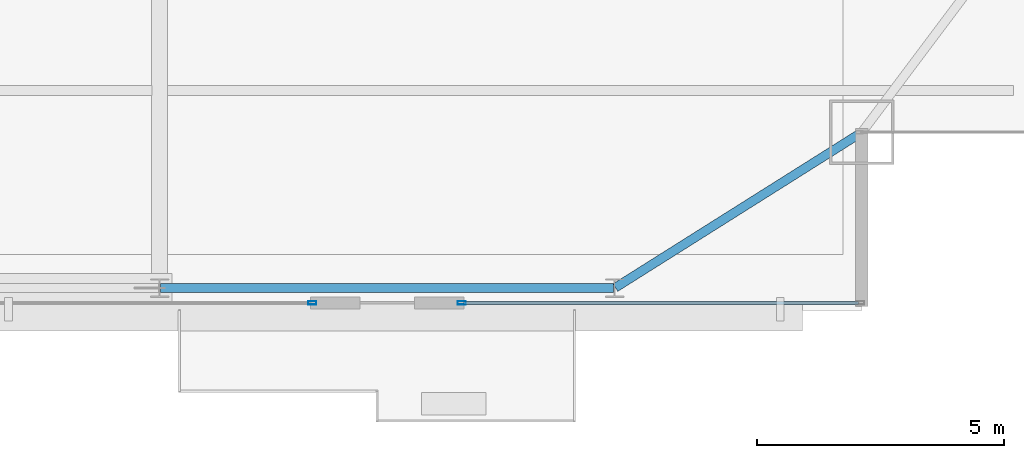
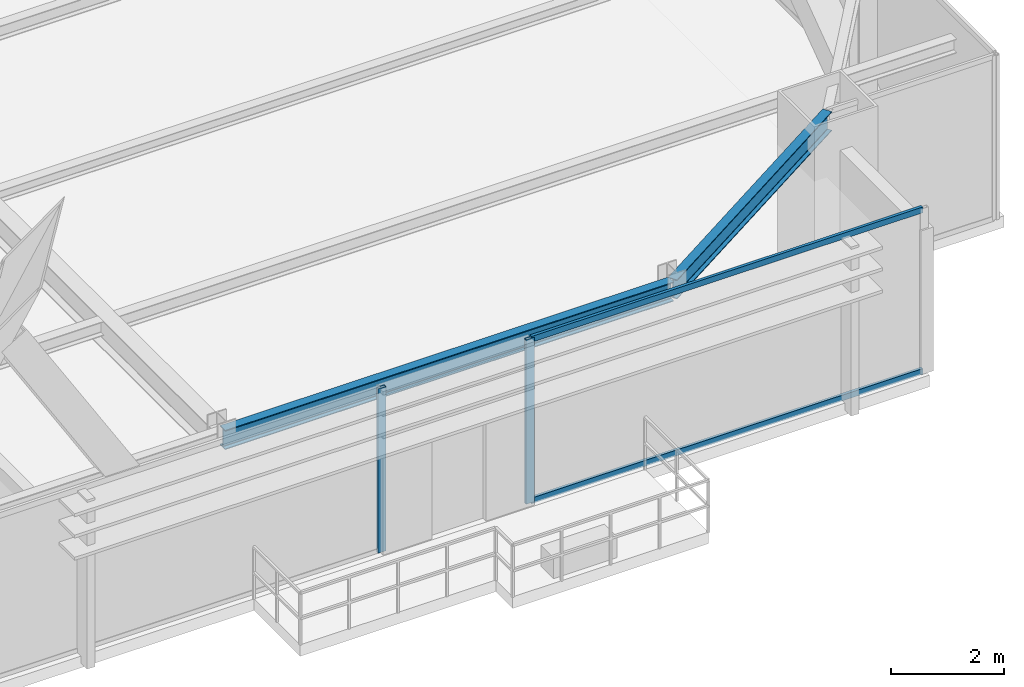
# One storey, part 14 of 34: 4 members, 2 beams, 2 elements without a shape of their own.
"""IFC4 building model written with IfcOpenShell, lengths in metres."""

from ifc_helpers import new_model, si_unit, direction, frame, origin, origin_2d, place, context, subcontext, project, spatial, hollow_rectangle, i_section, extrude, source, transform, mapped, material, layer, layer_set, material_profile, profile_set, type_object, type_shapes, element, aggregate, save


model = new_model("IFC4")

# Units and contexts
model_context = context("Model", 3, precision=1e-05, world=origin(), true_north=direction((0.0, 1.0)))
body_context = subcontext(model_context, "Body", "Model", "MODEL_VIEW")
ifc_project = project(units=[si_unit("LENGTHUNIT", "METRE"), si_unit("AREAUNIT", "SQUARE_METRE"), si_unit("VOLUMEUNIT", "CUBIC_METRE"), si_unit("PLANEANGLEUNIT", "RADIAN"), si_unit("MASSUNIT", "GRAM", prefix="KILO")], contexts=[model_context])

# Site, building, storey
site_placement = place(None, origin())
site = spatial("IfcSite", under=ifc_project, at=site_placement, CompositionType="ELEMENT")
building_placement = place(site_placement, origin())
building = spatial("IfcBuilding", under=site, at=building_placement, Name="Varnel Quay Broadcast Tower", CompositionType="ELEMENT")
storey_placement = place(building_placement, frame((0.0, 0.0, 161.0)))
storey = spatial("IfcBuildingStorey", under=building, at=storey_placement, Name="L39", CompositionType="ELEMENT", Elevation=161.0)

# Beams
ifc_material_1 = material(Name="Structural Steel CSA G40.21 350W", Category="steel")
ifc_material_profile_1 = material_profile(ifc_material_1, i_section(OverallWidth=0.180908203125, OverallDepth=0.4169921875, WebThickness=0.010986328125, FlangeThickness=0.018310546875, FilletRadius=0.011962890625, at=origin_2d()), Name="W410X85")
ifc_profile_set_1 = profile_set([ifc_material_profile_1], Name="Structural Steel CSA G40.21 350W")
beam_type = type_object("IfcBeamType", Name="Beam_W410X85", PredefinedType="SPANDREL", material=ifc_profile_set_1)
shared_shape_1 = source(origin(), body_context, "Body", "SweptSolid", [
    extrude(i_section(OverallWidth=0.180908203125, OverallDepth=0.4169921875, WebThickness=0.010986328125, FlangeThickness=0.018310546875, FilletRadius=0.011962890625, at=origin_2d()), origin(), (0.0, 0.0, 1.0), 9.159912109375),
])
beam_1_placement = place(storey_placement, frame((43.219970703125, 7.64990234375, 3.341552734375), z_axis=(1.0, 0.0, 0.0), x_axis=(0.0, 1.0, 0.0)))
element("IfcBeam", 1, at=beam_1_placement, inside=storey, type_object=beam_type, Name="L39 South Spandrel TC-S4-TC-S5", PredefinedType="SPANDREL", context=body_context, shape_type="MappedRepresentation", body=[
    mapped(shared_shape_1, transform((0.0, 0.0, 0.0), x_axis=(1.0, 0.0, 0.0), y_axis=(0.0, 1.0, 0.0), z_axis=(0.0, 0.0, 1.0), scale=1.0)),
])
shared_shape_2 = source(origin(), body_context, "Body", "SweptSolid", [
    extrude(i_section(OverallWidth=0.180908203125, OverallDepth=0.4169921875, WebThickness=0.010986328125, FlangeThickness=0.018310546875, FilletRadius=0.011962890625, at=origin_2d()), origin(), (0.0, 0.0, 1.0), 5.869384765625),
])
type_shapes(beam_type, [shared_shape_1, shared_shape_2])
beam_2_placement = place(storey_placement, frame((52.4169921875, 7.66064453125, 3.341552734375), z_axis=(0.846088328928, 0.533042718412, 0.0), x_axis=(-0.533042718412, 0.846088328928, 0.0)))
element("IfcBeam", 2, at=beam_2_placement, inside=storey, type_object=beam_type, Name="L39 South Spandrel TC-S5-MC-SE", PredefinedType="SPANDREL", context=body_context, shape_type="MappedRepresentation", body=[
    mapped(shared_shape_2, transform((0.0, 0.0, 0.0), x_axis=(1.0, 0.0, 0.0), y_axis=(0.0, 1.0, 0.0), z_axis=(0.0, 0.0, 1.0), scale=1.0)),
])

# Curtain wall, member
ifc_material_2 = material(Name="Anodised Bronze Aluminium 6063-T6", Category="aluminium")
ifc_layer = layer(ifc_material_2, 0.18994140625, Name="Anodised Bronze Aluminium 6063-T6")
ifc_layer_set = layer_set([ifc_layer], Name="Anodised Bronze Aluminium 6063-T6")
curtain_wall_type = type_object("IfcCurtainWallType", Name="CW_UpperTower", PredefinedType="NOTDEFINED", material=ifc_layer_set)
curtain_wall_1_placement = place(storey_placement, origin())
curtain_wall_1 = element("IfcCurtainWall", 3, at=curtain_wall_1_placement, inside=storey, type_object=curtain_wall_type, Name="L39 South Unitised Curtain Wall 2", PredefinedType="NOTDEFINED")
ifc_material_profile_2 = material_profile(ifc_material_2, hollow_rectangle(XDim=0.06494140625, YDim=0.1650390625, WallThickness=0.00341796875, at=origin_2d()), Name="ALU65X165X3.5")
ifc_profile_set_2 = profile_set([ifc_material_profile_2], Name="Anodised Bronze Aluminium 6063-T6")
member_type_1 = type_object("IfcMemberType", Name="Mull_CWS-03", PredefinedType="MULLION", material=ifc_profile_set_2)
shared_shape_3 = source(origin(), body_context, "Body", "SweptSolid", [
    extrude(hollow_rectangle(XDim=0.06494140625, YDim=0.1650390625, WallThickness=0.00341796875, at=origin_2d()), origin(), (0.0, 0.0, 1.0), 3.550048828125),
])
type_shapes(member_type_1, [shared_shape_3])
member_1_placement = place(storey_placement, frame((46.28759765625, 7.35009765625, 0.0), z_axis=(0.0, 0.0, 1.0), x_axis=(0.0, 1.0, 0.0)))
member_1 = element("IfcMember", 4, at=member_1_placement, type_object=member_type_1, Name="CWS-03 mullion 3", PredefinedType="MULLION", context=body_context, shape_type="MappedRepresentation", body=[
    mapped(shared_shape_3, transform((0.0, 0.0, 0.0), x_axis=(1.0, 0.0, 0.0), y_axis=(0.0, 1.0, 0.0), z_axis=(0.0, 0.0, 1.0), scale=1.0)),
])
aggregate(curtain_wall_1, [member_1])

# Curtain wall, members
curtain_wall_2_placement = place(storey_placement, origin())
curtain_wall_2 = element("IfcCurtainWall", 5, at=curtain_wall_2_placement, inside=storey, type_object=curtain_wall_type, Name="L39 South Unitised Curtain Wall 3", PredefinedType="NOTDEFINED")
member_2_placement = place(storey_placement, frame((49.3125, 7.35009765625, 0.0), z_axis=(0.0, 0.0, 1.0), x_axis=(0.0, 1.0, 0.0)))
member_2 = element("IfcMember", 6, at=member_2_placement, type_object=member_type_1, Name="CWS-03 mullion 1", PredefinedType="MULLION", context=body_context, shape_type="MappedRepresentation", body=[
    mapped(shared_shape_3, transform((0.0, 0.0, 0.0), x_axis=(1.0, 0.0, 0.0), y_axis=(0.0, 1.0, 0.0), z_axis=(0.0, 0.0, 1.0), scale=1.0)),
])
ifc_material_profile_3 = material_profile(ifc_material_2, hollow_rectangle(XDim=0.06005859375, YDim=0.125, WallThickness=0.0029296875, at=origin_2d()), Name="ALU60X125X3")
ifc_profile_set_3 = profile_set([ifc_material_profile_3], Name="Anodised Bronze Aluminium 6063-T6")
member_type_2 = type_object("IfcMemberType", Name="Tran_CWS-03", PredefinedType="USERDEFINED", material=ifc_profile_set_3)
shared_shape_4 = source(origin(), body_context, "Body", "SweptSolid", [
    extrude(hollow_rectangle(XDim=0.06005859375, YDim=0.125, WallThickness=0.0029296875, at=origin_2d()), origin(), (0.0, 0.0, 1.0), 7.989990234375),
])
type_shapes(member_type_2, [shared_shape_4])
member_3_placement = place(storey_placement, frame((49.344970703125, 7.35009765625, 0.030029296875), z_axis=(1.0, 0.0, 0.0), x_axis=(0.0, 1.0, 0.0)))
member_3 = element("IfcMember", 7, at=member_3_placement, type_object=member_type_2, Name="CWS-03 transom 1.1", ObjectType="TRANSOM", PredefinedType="USERDEFINED", context=body_context, shape_type="MappedRepresentation", body=[
    mapped(shared_shape_4, transform((0.0, 0.0, 0.0), x_axis=(1.0, 0.0, 0.0), y_axis=(0.0, 1.0, 0.0), z_axis=(0.0, 0.0, 1.0), scale=1.0)),
])
member_4_placement = place(storey_placement, frame((49.344970703125, 7.35009765625, 3.52001953125), z_axis=(1.0, 0.0, 0.0), x_axis=(0.0, 1.0, 0.0)))
member_4 = element("IfcMember", 8, at=member_4_placement, type_object=member_type_2, Name="CWS-03 transom 1.2", ObjectType="TRANSOM", PredefinedType="USERDEFINED", context=body_context, shape_type="MappedRepresentation", body=[
    mapped(shared_shape_4, transform((0.0, 0.0, 0.0), x_axis=(1.0, 0.0, 0.0), y_axis=(0.0, 1.0, 0.0), z_axis=(0.0, 0.0, 1.0), scale=1.0)),
])
aggregate(curtain_wall_2, [member_2, member_3, member_4])

save(model, "model.ifc")
